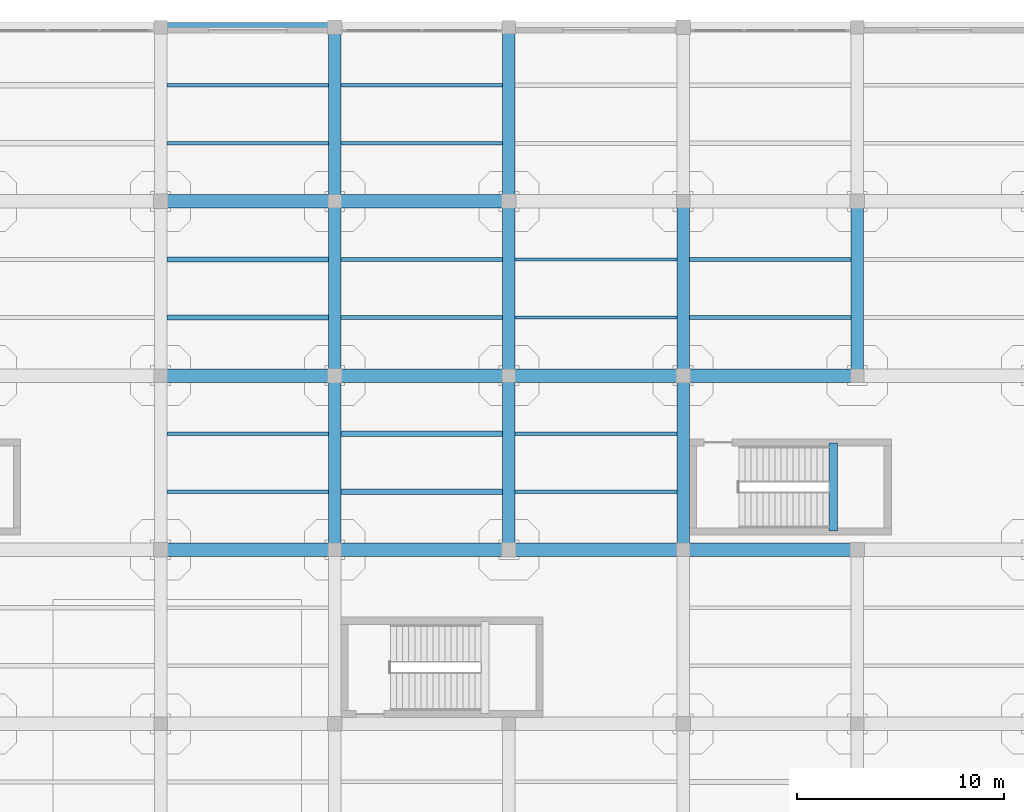
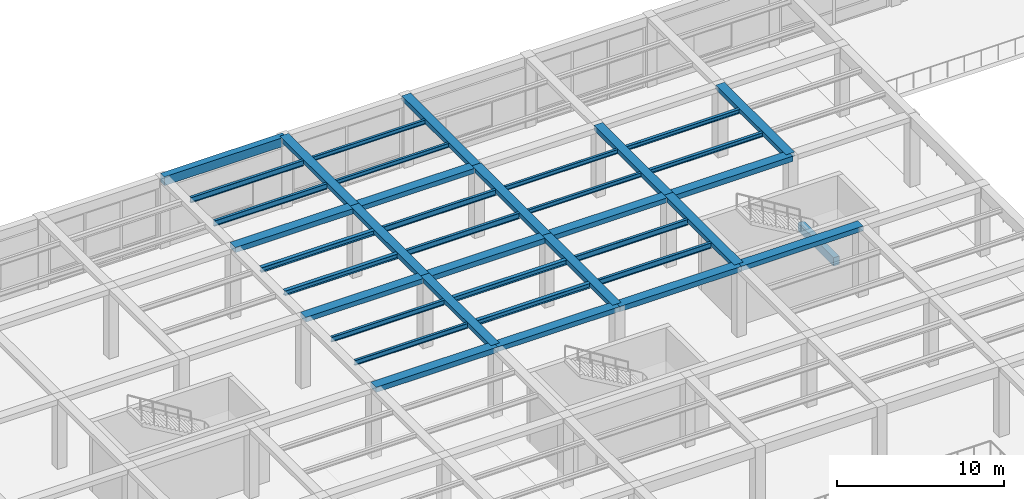
# One storey, part 38 of 95: 39 beams.
"""IFC4 building model written with IfcOpenShell, lengths in metres."""

from ifc_helpers import new_model, si_unit, direction, frame, origin, origin_2d, place, context, subcontext, project, spatial, rectangle, i_section, extrude, material, material_profile, profile_set, type_object, element, save


model = new_model("IFC4")

# Units and contexts
model_context = context("Model", 3, precision=1e-05, world=origin(), true_north=direction((0.0, 1.0)))
body_context = subcontext(model_context, "Body", "Model", "MODEL_VIEW")
ifc_project = project(units=[si_unit("LENGTHUNIT", "METRE"), si_unit("AREAUNIT", "SQUARE_METRE"), si_unit("VOLUMEUNIT", "CUBIC_METRE"), si_unit("PLANEANGLEUNIT", "RADIAN"), si_unit("MASSUNIT", "GRAM", prefix="KILO")], contexts=[model_context])

# Site, building, storey
site_placement = place(None, origin())
site = spatial("IfcSite", under=ifc_project, at=site_placement, CompositionType="ELEMENT")
building_placement = place(site_placement, origin())
building = spatial("IfcBuilding", under=site, at=building_placement, Name="Almacenes y Pasaje Nevantli", CompositionType="ELEMENT")
storey_placement = place(building_placement, frame((0.0, 0.0, 11.39990234375)))
storey = spatial("IfcBuildingStorey", under=building, at=storey_placement, Name="L03", CompositionType="ELEMENT", Elevation=11.39990234375)

# Beams
ifc_material_1 = material(Name="Concrete C35/45", Category="concrete")
ifc_material_profile_1 = material_profile(ifc_material_1, rectangle(XDim=0.39990234375, YDim=0.60009765625, at=origin_2d()), Name="RC-BM-400x600")
ifc_profile_set_1 = profile_set([ifc_material_profile_1], Name="Concrete C35/45")
beam_type_1 = type_object("IfcBeamType", Name="BM-RC-400x600", PredefinedType="SPANDREL", material=ifc_profile_set_1)
beam_1_placement = place(storey_placement, frame((57.64990234375, 93.300048828125, 2.2001953125), z_axis=(0.0, 1.0, 0.0), x_axis=(-1.0, 0.0, 0.0)))
element("IfcBeam", 1, at=beam_1_placement, inside=storey, type_object=beam_type_1, Name="L03 Stair ST-05 Half-Landing Support Beam", PredefinedType="SPANDREL", context=body_context, shape_type="SweptSolid", body=[
    extrude(rectangle(XDim=0.39990234375, YDim=0.60009765625, at=origin_2d()), origin(), (0.0, 0.0, 1.0), 4.25),
])
ifc_material_2 = material(Name="Concrete C35/45", Category="concrete")
ifc_material_profile_2 = material_profile(ifc_material_2, rectangle(XDim=0.449951171875, YDim=0.64990234375, at=origin_2d()), Name="RC-BM-450x650")
ifc_profile_set_2 = profile_set([ifc_material_profile_2], Name="Concrete C35/45")
beam_type_2 = type_object("IfcBeamType", Name="BM-RC-450x650", PredefinedType="SPANDREL", material=ifc_profile_set_2)
beam_2_placement = place(storey_placement, frame((25.199951171875, 117.60009765625, 4.775146484375), z_axis=(1.0, 0.0, 0.0), x_axis=(0.0, 1.0, 0.0)))
element("IfcBeam", 2, at=beam_2_placement, inside=storey, type_object=beam_type_2, Name="L03 East-West Reinforced Concrete Beam #2463", PredefinedType="SPANDREL", context=body_context, shape_type="SweptSolid", body=[
    extrude(rectangle(XDim=0.449951171875, YDim=0.64990234375, at=origin_2d()), origin(), (0.0, 0.0, 1.0), 8.400146484375),
])
ifc_material_3 = material(Name="Concrete C35/45", Category="concrete")
ifc_material_profile_3 = material_profile(ifc_material_3, rectangle(XDim=0.60009765625, YDim=0.320068359375, at=origin_2d()), Name="RC-BM-600x320")
ifc_profile_set_3 = profile_set([ifc_material_profile_3], Name="Concrete C35/45")
beam_type_3 = type_object("IfcBeamType", Name="BM-RC-600x320", PredefinedType="BEAM", material=ifc_profile_set_3)
for number, where, z_axis, x_axis, name in (
    (3, (33.60009765625, 92.39990234375, 4.940185546875), (0.0, 1.0, 0.0), (-1.0, 0.0, 0.0), "L03 North-South Reinforced Concrete Beam #2534"),
    (4, (33.60009765625, 109.199951171875, 4.940185546875), (0.0, 1.0, 0.0), (-1.0, 0.0, 0.0), "L03 North-South Reinforced Concrete Beam #2536"),
):
    element("IfcBeam", number, at=place(storey_placement, frame(where, z_axis=z_axis, x_axis=x_axis)), inside=storey, type_object=beam_type_3, Name=name, PredefinedType="BEAM", context=body_context, shape_type="SweptSolid", body=[
        extrude(rectangle(XDim=0.60009765625, YDim=0.320068359375, at=origin_2d()), origin(), (0.0, 0.0, 1.0), 8.400146484375),
    ])
beam_3_placement = place(storey_placement, frame((42.0, 100.800048828125, 4.940185546875), z_axis=(0.0, 1.0, 0.0), x_axis=(-1.0, 0.0, 0.0)))
element("IfcBeam", 5, at=beam_3_placement, inside=storey, type_object=beam_type_3, Name="L03 North-South Reinforced Concrete Beam #2544", PredefinedType="BEAM", context=body_context, shape_type="SweptSolid", body=[
    extrude(rectangle(XDim=0.60009765625, YDim=0.320068359375, at=origin_2d()), origin(), (0.0, 0.0, 1.0), 8.39990234375),
])
beam_4_placement = place(storey_placement, frame((50.39990234375, 92.39990234375, 4.940185546875), z_axis=(0.0, 1.0, 0.0), x_axis=(-1.0, 0.0, 0.0)))
element("IfcBeam", 6, at=beam_4_placement, inside=storey, type_object=beam_type_3, Name="L03 North-South Reinforced Concrete Beam #2552", PredefinedType="BEAM", context=body_context, shape_type="SweptSolid", body=[
    extrude(rectangle(XDim=0.60009765625, YDim=0.320068359375, at=origin_2d()), origin(), (0.0, 0.0, 1.0), 8.400146484375),
])
beam_5_placement = place(storey_placement, frame((58.800048828125, 100.800048828125, 4.940185546875), z_axis=(0.0, 1.0, 0.0), x_axis=(-1.0, 0.0, 0.0)))
element("IfcBeam", 7, at=beam_5_placement, inside=storey, type_object=beam_type_3, Name="L03 North-South Reinforced Concrete Beam #2566", PredefinedType="BEAM", context=body_context, shape_type="SweptSolid", body=[
    extrude(rectangle(XDim=0.60009765625, YDim=0.320068359375, at=origin_2d()), origin(), (0.0, 0.0, 1.0), 8.39990234375),
])
ifc_material_4 = material(Name="Concrete C35/45", Category="concrete")
ifc_material_profile_4 = material_profile(ifc_material_4, rectangle(XDim=0.60009765625, YDim=0.340087890625, at=origin_2d()), Name="RC-BM-600x340")
ifc_profile_set_4 = profile_set([ifc_material_profile_4], Name="Concrete C35/45")
beam_type_4 = type_object("IfcBeamType", Name="BM-RC-600x340", PredefinedType="BEAM", material=ifc_profile_set_4)
beam_6_placement = place(storey_placement, frame((33.60009765625, 100.800048828125, 4.93017578125), z_axis=(0.0, 1.0, 0.0), x_axis=(-1.0, 0.0, 0.0)))
element("IfcBeam", 8, at=beam_6_placement, inside=storey, type_object=beam_type_4, Name="L03 North-South Reinforced Concrete Beam #2535", PredefinedType="BEAM", context=body_context, shape_type="SweptSolid", body=[
    extrude(rectangle(XDim=0.60009765625, YDim=0.340087890625, at=origin_2d()), origin(), (0.0, 0.0, 1.0), 8.39990234375),
])
for number, where, z_axis, x_axis, name in (
    (9, (42.0, 92.39990234375, 4.93017578125), (0.0, 1.0, 0.0), (-1.0, 0.0, 0.0), "L03 North-South Reinforced Concrete Beam #2543"),
    (10, (42.0, 109.199951171875, 4.93017578125), (0.0, 1.0, 0.0), (-1.0, 0.0, 0.0), "L03 North-South Reinforced Concrete Beam #2545"),
):
    element("IfcBeam", number, at=place(storey_placement, frame(where, z_axis=z_axis, x_axis=x_axis)), inside=storey, type_object=beam_type_4, Name=name, PredefinedType="BEAM", context=body_context, shape_type="SweptSolid", body=[
        extrude(rectangle(XDim=0.60009765625, YDim=0.340087890625, at=origin_2d()), origin(), (0.0, 0.0, 1.0), 8.400146484375),
    ])
beam_7_placement = place(storey_placement, frame((50.39990234375, 100.800048828125, 4.93017578125), z_axis=(0.0, 1.0, 0.0), x_axis=(-1.0, 0.0, 0.0)))
element("IfcBeam", 11, at=beam_7_placement, inside=storey, type_object=beam_type_4, Name="L03 North-South Reinforced Concrete Beam #2553", PredefinedType="BEAM", context=body_context, shape_type="SweptSolid", body=[
    extrude(rectangle(XDim=0.60009765625, YDim=0.340087890625, at=origin_2d()), origin(), (0.0, 0.0, 1.0), 8.39990234375),
])
ifc_material_5 = material(Name="Concrete C35/45", Category="concrete")
ifc_material_profile_5 = material_profile(ifc_material_5, rectangle(XDim=0.64990234375, YDim=0.35009765625, at=origin_2d()), Name="RC-BM-650x350")
ifc_profile_set_5 = profile_set([ifc_material_profile_5], Name="Concrete C35/45")
beam_type_5 = type_object("IfcBeamType", Name="BM-RC-650x350", PredefinedType="BEAM", material=ifc_profile_set_5)
beam_8_placement = place(storey_placement, frame((33.60009765625, 92.39990234375, 4.925048828125), z_axis=(1.0, 0.0, 0.0), x_axis=(0.0, 1.0, 0.0)))
element("IfcBeam", 12, at=beam_8_placement, inside=storey, type_object=beam_type_5, Name="L03 East-West Reinforced Concrete Beam #2413", PredefinedType="BEAM", context=body_context, shape_type="SweptSolid", body=[
    extrude(rectangle(XDim=0.64990234375, YDim=0.35009765625, at=origin_2d()), origin(), (0.0, 0.0, 1.0), 8.39990234375),
])
for number, where, z_axis, x_axis, name in (
    (13, (50.39990234375, 92.39990234375, 4.925048828125), (1.0, 0.0, 0.0), (0.0, 1.0, 0.0), "L03 East-West Reinforced Concrete Beam #2415"),
    (14, (25.199951171875, 100.800048828125, 4.925048828125), (1.0, 0.0, 0.0), (0.0, 1.0, 0.0), "L03 East-West Reinforced Concrete Beam #2429"),
):
    element("IfcBeam", number, at=place(storey_placement, frame(where, z_axis=z_axis, x_axis=x_axis)), inside=storey, type_object=beam_type_5, Name=name, PredefinedType="BEAM", context=body_context, shape_type="SweptSolid", body=[
        extrude(rectangle(XDim=0.64990234375, YDim=0.35009765625, at=origin_2d()), origin(), (0.0, 0.0, 1.0), 8.400146484375),
    ])
for number, where, z_axis, x_axis, name in (
    (15, (42.0, 100.800048828125, 4.925048828125), (1.0, 0.0, 0.0), (0.0, 1.0, 0.0), "L03 East-West Reinforced Concrete Beam #2431"),
    (16, (33.60009765625, 109.199951171875, 4.925048828125), (1.0, 0.0, 0.0), (0.0, 1.0, 0.0), "L03 East-West Reinforced Concrete Beam #2447"),
):
    element("IfcBeam", number, at=place(storey_placement, frame(where, z_axis=z_axis, x_axis=x_axis)), inside=storey, type_object=beam_type_5, Name=name, PredefinedType="BEAM", context=body_context, shape_type="SweptSolid", body=[
        extrude(rectangle(XDim=0.64990234375, YDim=0.35009765625, at=origin_2d()), origin(), (0.0, 0.0, 1.0), 8.39990234375),
    ])
ifc_material_6 = material(Name="Concrete C35/45", Category="concrete")
ifc_material_profile_6 = material_profile(ifc_material_6, rectangle(XDim=0.64990234375, YDim=0.3798828125, at=origin_2d()), Name="RC-BM-650x380")
ifc_profile_set_6 = profile_set([ifc_material_profile_6], Name="Concrete C35/45")
beam_type_6 = type_object("IfcBeamType", Name="BM-RC-650x380", PredefinedType="BEAM", material=ifc_profile_set_6)
beam_9_placement = place(storey_placement, frame((25.199951171875, 92.39990234375, 4.91015625), z_axis=(1.0, 0.0, 0.0), x_axis=(0.0, 1.0, 0.0)))
element("IfcBeam", 17, at=beam_9_placement, inside=storey, type_object=beam_type_6, Name="L03 East-West Reinforced Concrete Beam #2412", PredefinedType="BEAM", context=body_context, shape_type="SweptSolid", body=[
    extrude(rectangle(XDim=0.64990234375, YDim=0.3798828125, at=origin_2d()), origin(), (0.0, 0.0, 1.0), 8.400146484375),
])
for number, where, z_axis, x_axis, name in (
    (18, (42.0, 92.39990234375, 4.91015625), (1.0, 0.0, 0.0), (0.0, 1.0, 0.0), "L03 East-West Reinforced Concrete Beam #2414"),
    (19, (33.60009765625, 100.800048828125, 4.91015625), (1.0, 0.0, 0.0), (0.0, 1.0, 0.0), "L03 East-West Reinforced Concrete Beam #2430"),
):
    element("IfcBeam", number, at=place(storey_placement, frame(where, z_axis=z_axis, x_axis=x_axis)), inside=storey, type_object=beam_type_6, Name=name, PredefinedType="BEAM", context=body_context, shape_type="SweptSolid", body=[
        extrude(rectangle(XDim=0.64990234375, YDim=0.3798828125, at=origin_2d()), origin(), (0.0, 0.0, 1.0), 8.39990234375),
    ])
for number, where, z_axis, x_axis, name in (
    (20, (50.39990234375, 100.800048828125, 4.91015625), (1.0, 0.0, 0.0), (0.0, 1.0, 0.0), "L03 East-West Reinforced Concrete Beam #2432"),
    (21, (25.199951171875, 109.199951171875, 4.91015625), (1.0, 0.0, 0.0), (0.0, 1.0, 0.0), "L03 East-West Reinforced Concrete Beam #2446"),
):
    element("IfcBeam", number, at=place(storey_placement, frame(where, z_axis=z_axis, x_axis=x_axis)), inside=storey, type_object=beam_type_6, Name=name, PredefinedType="BEAM", context=body_context, shape_type="SweptSolid", body=[
        extrude(rectangle(XDim=0.64990234375, YDim=0.3798828125, at=origin_2d()), origin(), (0.0, 0.0, 1.0), 8.400146484375),
    ])
ifc_material_7 = material(Name="Steel ASTM A992", Category="steel")
ifc_material_profile_7 = material_profile(ifc_material_7, i_section(OverallWidth=0.1650390625, OverallDepth=0.306884765625, WebThickness=0.006591796875, FlangeThickness=0.01025390625, at=origin_2d()), Name="IR 305x44.6")
ifc_profile_set_7 = profile_set([ifc_material_profile_7], Name="Steel ASTM A992")
beam_type_7 = type_object("IfcBeamType", Name="BM-STL-IR-305x44p6", PredefinedType="JOIST", material=ifc_profile_set_7)
for number, where, z_axis, x_axis, name in (
    (22, (33.89990234375, 112.0, 4.9384765625), (1.0, 0.0, 0.0), (0.0, 1.0, 0.0), "L03 Secondary Steel Floor Joist #735"),
    (23, (33.89990234375, 114.800048828125, 4.9384765625), (1.0, 0.0, 0.0), (0.0, 1.0, 0.0), "L03 Secondary Steel Floor Joist #736"),
    (24, (42.300048828125, 103.60009765625, 4.9384765625), (1.0, 0.0, 0.0), (0.0, 1.0, 0.0), "L03 Secondary Steel Floor Joist #749"),
    (25, (42.300048828125, 106.39990234375, 4.9384765625), (1.0, 0.0, 0.0), (0.0, 1.0, 0.0), "L03 Secondary Steel Floor Joist #750"),
):
    element("IfcBeam", number, at=place(storey_placement, frame(where, z_axis=z_axis, x_axis=x_axis)), inside=storey, type_object=beam_type_7, Name=name, PredefinedType="JOIST", context=body_context, shape_type="SweptSolid", body=[
        extrude(i_section(OverallWidth=0.1650390625, OverallDepth=0.306884765625, WebThickness=0.006591796875, FlangeThickness=0.01025390625, at=origin_2d()), origin(), (0.0, 0.0, 1.0), 7.800048828125),
    ])
ifc_material_8 = material(Name="Steel ASTM A992", Category="steel")
ifc_material_profile_8 = material_profile(ifc_material_8, i_section(OverallWidth=0.202880859375, OverallDepth=0.304931640625, WebThickness=0.007568359375, FlangeThickness=0.01318359375, at=origin_2d()), Name="IR 305x59.5")
ifc_profile_set_8 = profile_set([ifc_material_profile_8], Name="Steel ASTM A992")
beam_type_8 = type_object("IfcBeamType", Name="BM-STL-IR-305x59p5", PredefinedType="JOIST", material=ifc_profile_set_8)
for number, where, z_axis, x_axis, name in (
    (26, (50.699951171875, 103.60009765625, 4.939697265625), (1.0, 0.0, 0.0), (0.0, 1.0, 0.0), "L03 Secondary Steel Floor Joist #765"),
    (27, (50.699951171875, 106.39990234375, 4.939697265625), (1.0, 0.0, 0.0), (0.0, 1.0, 0.0), "L03 Secondary Steel Floor Joist #766"),
):
    element("IfcBeam", number, at=place(storey_placement, frame(where, z_axis=z_axis, x_axis=x_axis)), inside=storey, type_object=beam_type_8, Name=name, PredefinedType="JOIST", context=body_context, shape_type="SweptSolid", body=[
        extrude(i_section(OverallWidth=0.202880859375, OverallDepth=0.304931640625, WebThickness=0.007568359375, FlangeThickness=0.01318359375, at=origin_2d()), origin(), (0.0, 0.0, 1.0), 7.800048828125),
    ])
ifc_material_9 = material(Name="Steel ASTM A992", Category="steel")
ifc_material_profile_9 = material_profile(ifc_material_9, i_section(OverallWidth=0.173095703125, OverallDepth=0.364013671875, WebThickness=0.009033203125, FlangeThickness=0.015625, at=origin_2d()), Name="IR 356x67.0")
ifc_profile_set_9 = profile_set([ifc_material_profile_9], Name="Steel ASTM A992")
beam_type_9 = type_object("IfcBeamType", Name="BM-STL-IR-356x67p0", PredefinedType="JOIST", material=ifc_profile_set_9)
for number, where, z_axis, x_axis, name in (
    (28, (25.5, 95.199951171875, 4.91015625), (1.0, 0.0, 0.0), (0.0, 1.0, 0.0), "L03 Secondary Steel Floor Joist #715"),
    (29, (25.5, 98.0, 4.91015625), (1.0, 0.0, 0.0), (0.0, 1.0, 0.0), "L03 Secondary Steel Floor Joist #716"),
):
    element("IfcBeam", number, at=place(storey_placement, frame(where, z_axis=z_axis, x_axis=x_axis)), inside=storey, type_object=beam_type_9, Name=name, PredefinedType="JOIST", context=body_context, shape_type="SweptSolid", body=[
        extrude(i_section(OverallWidth=0.173095703125, OverallDepth=0.364013671875, WebThickness=0.009033203125, FlangeThickness=0.015625, at=origin_2d()), origin(), (0.0, 0.0, 1.0), 7.800048828125),
    ])
ifc_material_10 = material(Name="Steel ASTM A992", Category="steel")
ifc_material_profile_10 = material_profile(ifc_material_10, i_section(OverallWidth=0.25390625, OverallDepth=0.35595703125, WebThickness=0.009521484375, FlangeThickness=0.016357421875, at=origin_2d()), Name="IR 356x79.0")
ifc_profile_set_10 = profile_set([ifc_material_profile_10], Name="Steel ASTM A992")
beam_type_10 = type_object("IfcBeamType", Name="BM-STL-IR-356x79p0", PredefinedType="JOIST", material=ifc_profile_set_10)
for number, where, z_axis, x_axis, name in (
    (30, (25.5, 103.60009765625, 4.9140625), (1.0, 0.0, 0.0), (0.0, 1.0, 0.0), "L03 Secondary Steel Floor Joist #717"),
    (31, (25.5, 106.39990234375, 4.9140625), (1.0, 0.0, 0.0), (0.0, 1.0, 0.0), "L03 Secondary Steel Floor Joist #718"),
    (32, (33.89990234375, 95.199951171875, 4.9140625), (1.0, 0.0, 0.0), (0.0, 1.0, 0.0), "L03 Secondary Steel Floor Joist #731"),
    (33, (33.89990234375, 98.0, 4.9140625), (1.0, 0.0, 0.0), (0.0, 1.0, 0.0), "L03 Secondary Steel Floor Joist #732"),
):
    element("IfcBeam", number, at=place(storey_placement, frame(where, z_axis=z_axis, x_axis=x_axis)), inside=storey, type_object=beam_type_10, Name=name, PredefinedType="JOIST", context=body_context, shape_type="SweptSolid", body=[
        extrude(i_section(OverallWidth=0.25390625, OverallDepth=0.35595703125, WebThickness=0.009521484375, FlangeThickness=0.016357421875, at=origin_2d()), origin(), (0.0, 0.0, 1.0), 7.800048828125),
    ])
ifc_material_11 = material(Name="Steel ASTM A992", Category="steel")
ifc_material_profile_11 = material_profile(ifc_material_11, i_section(OverallWidth=0.178955078125, OverallDepth=0.406005859375, WebThickness=0.0087890625, FlangeThickness=0.014404296875, at=origin_2d()), Name="IR 406x67.0")
ifc_profile_set_11 = profile_set([ifc_material_profile_11], Name="Steel ASTM A992")
beam_type_11 = type_object("IfcBeamType", Name="BM-STL-IR-406x67p0", PredefinedType="JOIST", material=ifc_profile_set_11)
for number, where, z_axis, x_axis, name in (
    (34, (25.5, 112.0, 4.88916015625), (1.0, 0.0, 0.0), (0.0, 1.0, 0.0), "L03 Secondary Steel Floor Joist #719"),
    (35, (25.5, 114.800048828125, 4.88916015625), (1.0, 0.0, 0.0), (0.0, 1.0, 0.0), "L03 Secondary Steel Floor Joist #720"),
    (36, (33.89990234375, 103.60009765625, 4.88916015625), (1.0, 0.0, 0.0), (0.0, 1.0, 0.0), "L03 Secondary Steel Floor Joist #733"),
    (37, (33.89990234375, 106.39990234375, 4.88916015625), (1.0, 0.0, 0.0), (0.0, 1.0, 0.0), "L03 Secondary Steel Floor Joist #734"),
    (38, (42.300048828125, 95.199951171875, 4.88916015625), (1.0, 0.0, 0.0), (0.0, 1.0, 0.0), "L03 Secondary Steel Floor Joist #747"),
    (39, (42.300048828125, 98.0, 4.88916015625), (1.0, 0.0, 0.0), (0.0, 1.0, 0.0), "L03 Secondary Steel Floor Joist #748"),
):
    element("IfcBeam", number, at=place(storey_placement, frame(where, z_axis=z_axis, x_axis=x_axis)), inside=storey, type_object=beam_type_11, Name=name, PredefinedType="JOIST", context=body_context, shape_type="SweptSolid", body=[
        extrude(i_section(OverallWidth=0.178955078125, OverallDepth=0.406005859375, WebThickness=0.0087890625, FlangeThickness=0.014404296875, at=origin_2d()), origin(), (0.0, 0.0, 1.0), 7.800048828125),
    ])

save(model, "model.ifc")
